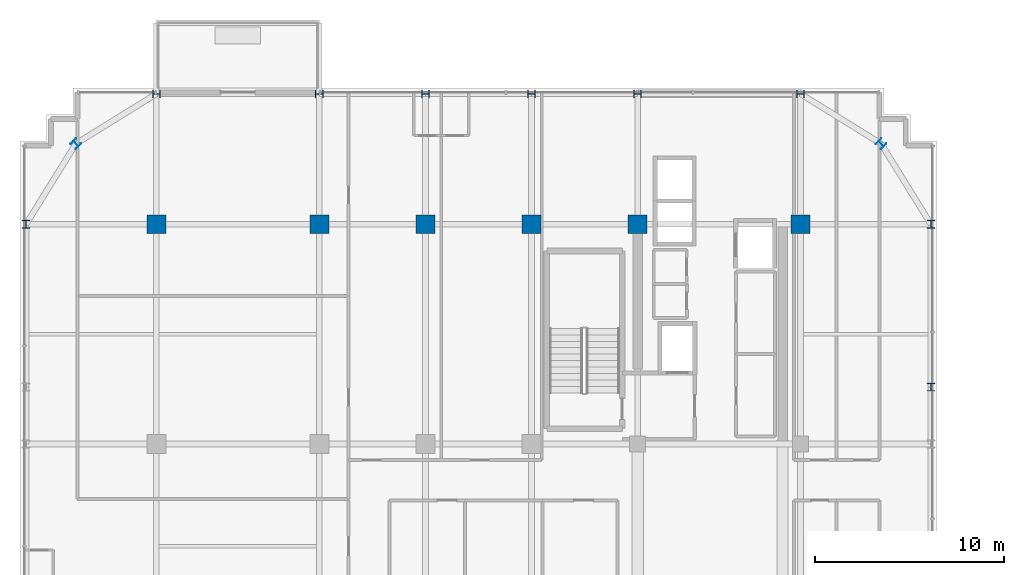
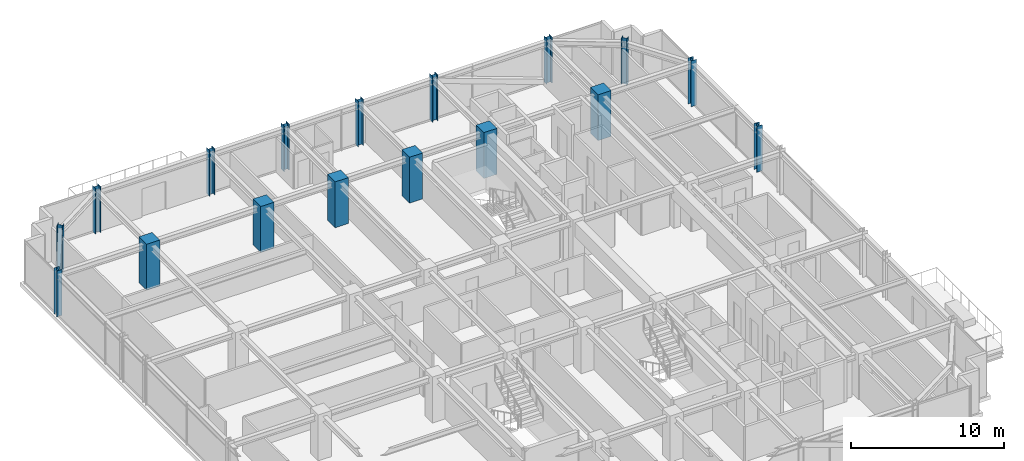
# One storey, part 3 of 36: 17 columns.
"""IFC4 building model written with IfcOpenShell, lengths in metres."""

from ifc_helpers import new_model, si_unit, direction, frame, origin, origin_2d, place, context, subcontext, project, spatial, rectangle, i_section, extrude, source, transform, mapped, material, material_profile, profile_set, type_object, element, save


model = new_model("IFC4")

# Units and contexts
model_context = context("Model", 3, precision=1e-05, world=origin(), true_north=direction((0.0, 1.0)))
body_context = subcontext(model_context, "Body", "Model", "MODEL_VIEW")
ifc_project = project(units=[si_unit("LENGTHUNIT", "METRE"), si_unit("AREAUNIT", "SQUARE_METRE"), si_unit("VOLUMEUNIT", "CUBIC_METRE"), si_unit("PLANEANGLEUNIT", "RADIAN"), si_unit("MASSUNIT", "GRAM", prefix="KILO")], contexts=[model_context])

# Site, building, storey
site_placement = place(None, origin())
site = spatial("IfcSite", under=ifc_project, at=site_placement, CompositionType="ELEMENT")
building_placement = place(site_placement, origin())
building = spatial("IfcBuilding", under=site, at=building_placement, Name="Nahalor Promenade Grand Hotel", CompositionType="ELEMENT")
storey_placement = place(building_placement, frame((0.0, 0.0, 219.699951171875)))
storey = spatial("IfcBuildingStorey", under=building, at=storey_placement, Name="L56", CompositionType="ELEMENT", Elevation=219.699951171875)

# Columns
ifc_material_1 = material(Name="Concrete B-60 (C50/60)", Category="concrete")
ifc_material_profile_1 = material_profile(ifc_material_1, rectangle(XDim=1.0, YDim=1.0, at=origin_2d()), Name="RC 1000x1000")
ifc_profile_set_1 = profile_set([ifc_material_profile_1], Name="Concrete B-60 (C50/60)")
column_type_1 = type_object("IfcColumnType", Name="Col-RC-1000", PredefinedType="COLUMN", material=ifc_profile_set_1)
shared_shape_1 = source(origin(), body_context, "Body", "SweptSolid", [
    extrude(rectangle(XDim=1.0, YDim=1.0, at=origin_2d()), origin(), (0.0, 0.0, 1.0), 3.655029296875),
])
for number, where, z_axis, x_axis, name in (
    (1, (-17.0, 17.0, 0.0), (0.0, 0.0, 1.0), (1.0, 0.0, 0.0), "COL-L56-I03"),
    (2, (-8.39990234375, 17.0, 0.0), (0.0, 0.0, 1.0), (1.0, 0.0, 0.0), "COL-L56-I13"),
    (3, (-2.800048828125, 17.0, 0.0), (0.0, 0.0, 1.0), (1.0, 0.0, 0.0), "COL-L56-I23"),
    (4, (2.800048828125, 17.0, 0.0), (0.0, 0.0, 1.0), (1.0, 0.0, 0.0), "COL-L56-I33"),
    (5, (8.39990234375, 17.0, 0.0), (0.0, 0.0, 1.0), (1.0, 0.0, 0.0), "COL-L56-I43"),
    (6, (17.0, 17.0, 0.0), (0.0, 0.0, 1.0), (1.0, 0.0, 0.0), "COL-L56-I53"),
):
    element("IfcColumn", number, at=place(storey_placement, frame(where, z_axis=z_axis, x_axis=x_axis)), inside=storey, type_object=column_type_1, Name=name, PredefinedType="COLUMN", context=body_context, shape_type="MappedRepresentation", body=[
        mapped(shared_shape_1, transform((0.0, 0.0, 0.0), scale=1.0)),
    ])
ifc_material_2 = material(Name="Steel S355JR", Category="steel")
ifc_material_profile_2 = material_profile(ifc_material_2, i_section(OverallWidth=0.401, OverallDepth=0.406, WebThickness=0.0161, FlangeThickness=0.025, at=origin_2d()), Name="HD 400x314")
ifc_profile_set_2 = profile_set([ifc_material_profile_2], Name="Steel S355JR")
column_type_2 = type_object("IfcColumnType", Name="Col-Steel-HD314", PredefinedType="COLUMN", material=ifc_profile_set_2)
shared_shape_2 = source(origin(), body_context, "Body", "SweptSolid", [
    extrude(i_section(OverallWidth=0.401, OverallDepth=0.406, WebThickness=0.0161, FlangeThickness=0.025, at=origin_2d()), origin(), (0.0, 0.0, 1.0), 3.655029296875),
])
for number, where, z_axis, x_axis, name in (
    (7, (23.8798828125, 8.39990234375, 0.0), (0.0, 0.0, 1.0), (1.0, 0.0, 0.0), "COL-L56-PW-E4"),
    (8, (-23.8798828125, 17.0, 0.0), (0.0, 0.0, 1.0), (1.0, 0.0, 0.0), "COL-L56-PW-W5"),
    (9, (23.8798828125, 17.0, 0.0), (0.0, 0.0, 1.0), (1.0, 0.0, 0.0), "COL-L56-PW-E5"),
    (10, (-17.0, 23.8798828125, 0.0), (0.0, 0.0, 1.0), (0.0, 1.0, 0.0), "COL-L56-PN-N0"),
    (11, (-8.39990234375, 23.8798828125, 0.0), (0.0, 0.0, 1.0), (0.0, 1.0, 0.0), "COL-L56-PN-N1"),
    (12, (-2.800048828125, 23.8798828125, 0.0), (0.0, 0.0, 1.0), (0.0, 1.0, 0.0), "COL-L56-PN-N2"),
    (13, (2.800048828125, 23.8798828125, 0.0), (0.0, 0.0, 1.0), (0.0, 1.0, 0.0), "COL-L56-PN-N3"),
    (14, (8.39990234375, 23.8798828125, 0.0), (0.0, 0.0, 1.0), (0.0, 1.0, 0.0), "COL-L56-PN-N4"),
    (15, (17.0, 23.8798828125, 0.0), (0.0, 0.0, 1.0), (0.0, 1.0, 0.0), "COL-L56-PN-N5"),
    (16, (-21.25, 21.25, 0.0), (0.0, 0.0, 1.0), (0.707106781187, 0.707106781187, 0.0), "COL-L56-CRN-NW"),
    (17, (21.25, 21.25, 0.0), (0.0, 0.0, 1.0), (0.707106781187, 0.707106781187, 0.0), "COL-L56-CRN-NE"),
):
    element("IfcColumn", number, at=place(storey_placement, frame(where, z_axis=z_axis, x_axis=x_axis)), inside=storey, type_object=column_type_2, Name=name, PredefinedType="COLUMN", context=body_context, shape_type="MappedRepresentation", body=[
        mapped(shared_shape_2, transform((0.0, 0.0, 0.0), scale=1.0)),
    ])

save(model, "model.ifc")
